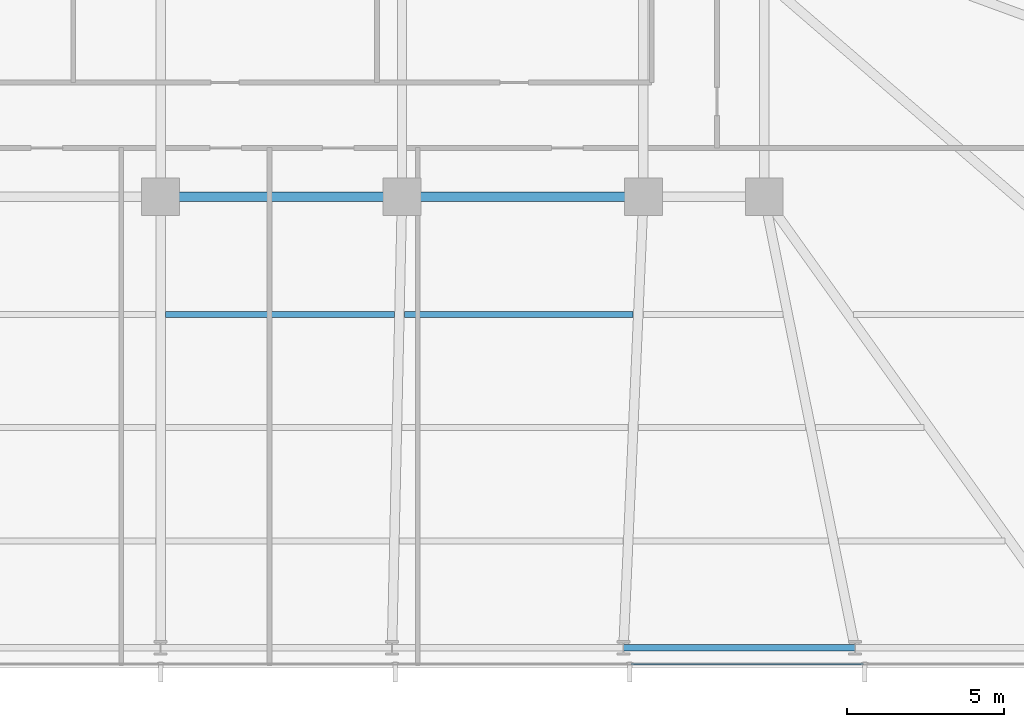
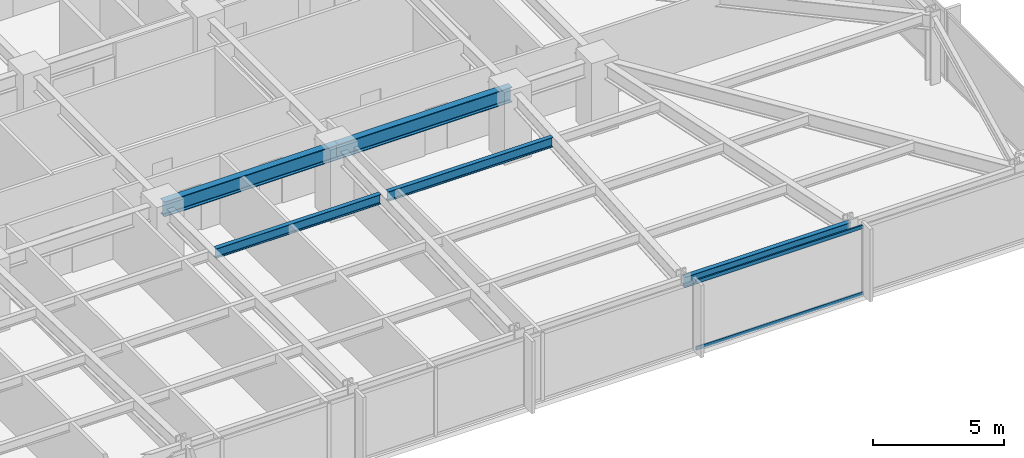
# One storey, part 13 of 33: 5 beams, 2 members, 1 element without a shape of its own.
"""IFC4 building model written with IfcOpenShell, lengths in metres."""

import ifcopenshell
import ifcopenshell.guid

model = None  # the IFC model being written
_history = None  # IfcOwnerHistory: only IFC2X3 demands one
_inside = {}  # id of a spatial element -> (the spatial element, [elements in it])
_under = {}  # id of a project, library or spatial element -> (it, [spatial elements below it])
_declared = {}  # id of a project -> (the project, [libraries it declares])
_typed = {}  # id of a type object -> (the type object, [elements of that type])
_made_of = {}  # id of a material, layer set ... -> (it, [elements and type objects made of it])


def new_model(schema):
    """Start an empty IFC model of exactly this schema.

    Asked for "IFC4X3", IfcOpenShell would pick the latest addendum, in which some entities
    have other attributes; the version numbers below select the first issue.
    IFC2X3 requires an IfcOwnerHistory on every rooted entity: one is made here for all.
    """
    global model, _history
    if schema == "IFC4X3":
        model = ifcopenshell.file(schema_version=(4, 3, 0, 0))
    else:
        model = ifcopenshell.file(schema=schema)
    _inside.clear()
    _under.clear()
    _declared.clear()
    _typed.clear()
    _made_of.clear()
    _history = None
    if model.schema == "IFC2X3":
        org = make("IfcOrganization", Name="unknown")
        user = make(
            "IfcPersonAndOrganization",
            ThePerson=make("IfcPerson", FamilyName="unknown"),
            TheOrganization=org,
        )
        app = make(
            "IfcApplication",
            ApplicationDeveloper=org,
            Version="unknown",
            ApplicationFullName="unknown",
            ApplicationIdentifier="unknown",
        )
        _history = make(
            "IfcOwnerHistory",
            OwningUser=user,
            OwningApplication=app,
            ChangeAction="ADDED",
            CreationDate=0,
        )
    return model


def make(cls, **values):
    """One entity of the class cls with the attributes given. An attribute that is None is left unset."""
    return model.create_entity(
        cls, **{name: value for name, value in values.items() if value is not None}
    )


def rooted(cls, **values):
    """An entity with a GlobalId (a new one), such as an element, a storey or a relation."""
    return make(cls, GlobalId=ifcopenshell.guid.new(), OwnerHistory=_history, **values)


def si_unit(unit_type, name, prefix=None):
    """IfcSIUnit, for example si_unit("LENGTHUNIT", "METRE", prefix="MILLI")."""
    return make("IfcSIUnit", UnitType=unit_type, Prefix=prefix, Name=name)


def assignment(units):
    """IfcUnitAssignment: the units of a project."""
    return None if units is None else make("IfcUnitAssignment", Units=units)


def point(xyz):
    """IfcCartesianPoint."""
    return None if xyz is None else make("IfcCartesianPoint", Coordinates=xyz)


def direction(xyz):
    """IfcDirection."""
    return None if xyz is None else make("IfcDirection", DirectionRatios=xyz)


def frame(location, z_axis=None, x_axis=None):
    """IfcAxis2Placement3D, a coordinate frame: its origin and axes. An axis left out is left unset."""
    return make(
        "IfcAxis2Placement3D",
        Location=point(location),
        Axis=direction(z_axis),
        RefDirection=direction(x_axis),
    )


def frame_2d(location, x_axis=None):
    """IfcAxis2Placement2D, a coordinate frame in the plane: its origin and x axis."""
    return make(
        "IfcAxis2Placement2D", Location=point(location), RefDirection=direction(x_axis)
    )


def origin():
    """The frame at (0, 0, 0) with its axes left unset."""
    return frame((0.0, 0.0, 0.0))


def origin_2d():
    """The frame at (0, 0) in the plane with its x axis left unset."""
    return frame_2d((0.0, 0.0))


def place(relative_to, where):
    """IfcLocalPlacement: puts the frame where relative to a parent placement (None: the world)."""
    return make(
        "IfcLocalPlacement", PlacementRelTo=relative_to, RelativePlacement=where
    )


def context(
    kind, dimensions, precision=None, world=None, true_north=None, identifier=None
):
    """IfcGeometricRepresentationContext, for example the 3D "Model" context."""
    return make(
        "IfcGeometricRepresentationContext",
        ContextIdentifier=identifier,
        ContextType=kind,
        CoordinateSpaceDimension=dimensions,
        Precision=precision,
        WorldCoordinateSystem=world,
        TrueNorth=true_north,
    )


def subcontext(parent, identifier, kind, view, scale=None):
    """IfcGeometricRepresentationSubContext, for example "Body" below "Model"."""
    return make(
        "IfcGeometricRepresentationSubContext",
        ContextIdentifier=identifier,
        ContextType=kind,
        ParentContext=parent,
        TargetScale=scale,
        TargetView=view,
    )


def project(units=None, contexts=None):
    """IfcProject with its units and contexts."""
    return rooted(
        "IfcProject",
        Name="project",
        RepresentationContexts=contexts,
        UnitsInContext=assignment(units),
    )


def spatial(cls, under=None, at=None, **own):
    """A site, building, storey or space (cls), placed at a placement, below another one or the project."""
    s = rooted(cls, ObjectPlacement=at, **own)
    if under is not None:
        _under.setdefault(under.id(), (under, []))[1].append(s)
    return s


def profile(cls, at=None, kind="AREA", **sizes):
    """A parametric profile (cls). Its sizes go by their IFC names, for example OverallWidth=200.0."""
    return make(cls, ProfileType=kind, Position=at, **sizes)


def hollow_rectangle(**sizes):
    """IfcRectangleHollowProfileDef."""
    return profile("IfcRectangleHollowProfileDef", **sizes)


def i_section(**sizes):
    """IfcIShapeProfileDef."""
    return profile("IfcIShapeProfileDef", **sizes)


def extrude(swept, where, along, depth):
    """IfcExtrudedAreaSolid: the profile swept, set in the frame where, extruded along a direction by depth."""
    return make(
        "IfcExtrudedAreaSolid",
        SweptArea=swept,
        Position=where,
        ExtrudedDirection=direction(along),
        Depth=depth,
    )


def shape(context_of_items, identifier, shape_type, items):
    """IfcShapeRepresentation: the items that make up one representation, for example the "Body"."""
    return make(
        "IfcShapeRepresentation",
        ContextOfItems=context_of_items,
        RepresentationIdentifier=identifier,
        RepresentationType=shape_type,
        Items=items,
    )


def material(Name=None, Category=None):
    """IfcMaterial."""
    return make("IfcMaterial", Name=Name, Category=Category)


def material_profile(
    of_material, cross_section, Name=None, Category=None, Priority=None
):
    """IfcMaterialProfile: a cross section and its material."""
    return make(
        "IfcMaterialProfile",
        Name=Name,
        Material=of_material,
        Profile=cross_section,
        Priority=Priority,
        Category=Category,
    )


def profile_set(profiles, Name=None, composite=None):
    """IfcMaterialProfileSet."""
    return make(
        "IfcMaterialProfileSet",
        Name=Name,
        MaterialProfiles=profiles,
        CompositeProfile=composite,
    )


def made_of(thing, what):
    """Note that an element or type object is made of a material, layer set ...; save() writes the relation."""
    if what is not None:
        _made_of.setdefault(what.id(), (what, []))[1].append(thing)
    return thing


def type_object(cls, material=None, **own):
    """A type object (cls), such as IfcWallType, which elements share."""
    return made_of(rooted(cls, **own), material)


def element(
    cls,
    number,
    at=None,
    inside=None,
    cuts=None,
    type_object=None,
    material=None,
    context=None,
    identifier="Body",
    shape_type=None,
    held_by="IfcProductDefinitionShape",
    body=None,
    shapes=None,
    **own,
):
    """One element of the class cls, such as IfcWall. Its Tag is "e" and its number.

    at: its placement. inside: the storey or other place that contains it. cuts: it is an
    opening in that element (IfcRelVoidsElement). A single representation is given by context,
    identifier, shape_type and body (its items); several are given by shapes. held_by: the class
    of the entity that holds the representations. save() writes the other relations.
    """
    e = rooted(cls, Tag="e%d" % number, ObjectPlacement=at, **own)
    if body is not None:
        shapes = [shape(context, identifier, shape_type, body)]
    if shapes is not None:
        e.Representation = make(held_by, Representations=shapes)
    if inside is not None:
        _inside.setdefault(inside.id(), (inside, []))[1].append(e)
    if cuts is not None:
        rooted(
            "IfcRelVoidsElement", RelatingBuildingElement=cuts, RelatedOpeningElement=e
        )
    if type_object is not None:
        _typed.setdefault(type_object.id(), (type_object, []))[1].append(e)
    return made_of(e, material)


def aggregate(whole, parts):
    """IfcRelAggregates: a whole, such as a stair, and the parts it consists of."""
    return rooted("IfcRelAggregates", RelatingObject=whole, RelatedObjects=parts)


def save(model, path):
    """Write the relations noted so far, then the file.

    IfcRelAggregates (storeys below a building ...), IfcRelContainedInSpatialStructure (elements
    in a storey), IfcRelDefinesByType, IfcRelAssociatesMaterial and IfcRelDeclares: one each for
    every whole, place, type object, material and project.
    """
    for whole, parts in _under.values():
        aggregate(whole, parts)
    for where, things in _inside.values():
        rooted(
            "IfcRelContainedInSpatialStructure",
            RelatedElements=things,
            RelatingStructure=where,
        )
    for kind, things in _typed.values():
        rooted("IfcRelDefinesByType", RelatedObjects=things, RelatingType=kind)
    for what, things in _made_of.values():
        rooted("IfcRelAssociatesMaterial", RelatedObjects=things, RelatingMaterial=what)
    for by, libraries in _declared.values():
        rooted("IfcRelDeclares", RelatingContext=by, RelatedDefinitions=libraries)
    model.write(path)


model = new_model("IFC4")

# Units and contexts
model_context = context("Model", 3, precision=1e-05, world=origin(), true_north=direction((0.0, 1.0)))
body_context = subcontext(model_context, "Body", "Model", "MODEL_VIEW")
ifc_project = project(units=[si_unit("LENGTHUNIT", "METRE"), si_unit("AREAUNIT", "SQUARE_METRE"), si_unit("VOLUMEUNIT", "CUBIC_METRE"), si_unit("PLANEANGLEUNIT", "RADIAN"), si_unit("MASSUNIT", "GRAM", prefix="KILO")], contexts=[model_context])

# Site, building, storey
site_placement = place(None, origin())
site = spatial("IfcSite", under=ifc_project, at=site_placement, CompositionType="ELEMENT")
building_placement = place(site_placement, origin())
building = spatial("IfcBuilding", under=site, at=building_placement, Name="Yelkora Congress Tower", CompositionType="ELEMENT")
storey_placement = place(building_placement, frame((0.0, 0.0, 54.199951171875)))
storey = spatial("IfcBuildingStorey", under=building, at=storey_placement, Name="L13", CompositionType="ELEMENT", Elevation=54.199951171875)

# Beams
ifc_material_1 = material(Name="Steel S355J2", Category="steel")
ifc_material_profile_1 = material_profile(ifc_material_1, i_section(OverallWidth=0.300048828125, OverallDepth=0.699951171875, WebThickness=0.01708984375, FlangeThickness=0.031982421875, FilletRadius=0.027099609375, at=origin_2d()), Name="HEB 700")
ifc_profile_set_1 = profile_set([ifc_material_profile_1], Name="Steel S355J2")
beam_type_1 = type_object("IfcBeamType", Name="BM-GIRD-HEB700", PredefinedType="BEAM", material=ifc_profile_set_1)
beam_1_placement = place(storey_placement, frame((38.39990234375, 25.199951171875, 2.830078125), z_axis=(1.0, 0.0, 0.0), x_axis=(0.0, 1.0, 0.0)))
element("IfcBeam", 1, at=beam_1_placement, inside=storey, type_object=beam_type_1, Name="L13 Spine Grid D Girder 4", PredefinedType="BEAM", context=body_context, shape_type="SweptSolid", body=[
    extrude(i_section(OverallWidth=0.300048828125, OverallDepth=0.699951171875, WebThickness=0.01708984375, FlangeThickness=0.031982421875, FilletRadius=0.027099609375, at=origin_2d()), origin(), (0.0, 0.0, 1.0), 7.68017578125),
])
beam_2_placement = place(storey_placement, frame((46.080078125, 25.199951171875, 2.830078125), z_axis=(1.0, 0.0, 0.0), x_axis=(0.0, 1.0, 0.0)))
element("IfcBeam", 2, at=beam_2_placement, inside=storey, type_object=beam_type_1, Name="L13 Spine Grid D Girder 5", PredefinedType="BEAM", context=body_context, shape_type="SweptSolid", body=[
    extrude(i_section(OverallWidth=0.300048828125, OverallDepth=0.699951171875, WebThickness=0.01708984375, FlangeThickness=0.031982421875, FilletRadius=0.027099609375, at=origin_2d()), origin(), (0.0, 0.0, 1.0), 7.679931640625),
])
ifc_material_profile_2 = material_profile(ifc_material_1, i_section(OverallWidth=0.18994140625, OverallDepth=0.449951171875, WebThickness=0.009521484375, FlangeThickness=0.0146484375, FilletRadius=0.02099609375, at=origin_2d()), Name="IPE 450")
ifc_profile_set_2 = profile_set([ifc_material_profile_2], Name="Steel S355J2")
beam_type_2 = type_object("IfcBeamType", Name="BM-JOIST-IPE450", PredefinedType="JOIST", material=ifc_profile_set_2)
beam_3_placement = place(storey_placement, frame((38.56005859375, 21.449951171875, 2.955078125), z_axis=(1.0, 0.0, 0.0), x_axis=(0.0, 1.0, 0.0)))
element("IfcBeam", 3, at=beam_3_placement, inside=storey, type_object=beam_type_2, Name="L13 Composite Floor Joist 20", PredefinedType="JOIST", context=body_context, shape_type="SweptSolid", body=[
    extrude(i_section(OverallWidth=0.18994140625, OverallDepth=0.449951171875, WebThickness=0.009521484375, FlangeThickness=0.0146484375, FilletRadius=0.02099609375, at=origin_2d()), origin(), (0.0, 0.0, 1.0), 7.27685546875),
])
beam_4_placement = place(storey_placement, frame((46.156982421875, 21.449951171875, 2.955078125), z_axis=(1.0, 0.0, 0.0), x_axis=(0.0, 1.0, 0.0)))
element("IfcBeam", 4, at=beam_4_placement, inside=storey, type_object=beam_type_2, Name="L13 Composite Floor Joist 21", PredefinedType="JOIST", context=body_context, shape_type="SweptSolid", body=[
    extrude(i_section(OverallWidth=0.18994140625, OverallDepth=0.449951171875, WebThickness=0.009521484375, FlangeThickness=0.0146484375, FilletRadius=0.02099609375, at=origin_2d()), origin(), (0.0, 0.0, 1.0), 7.277099609375),
])
ifc_material_profile_3 = material_profile(ifc_material_1, i_section(OverallWidth=0.199951171875, OverallDepth=0.5, WebThickness=0.01025390625, FlangeThickness=0.01611328125, FilletRadius=0.02099609375, at=origin_2d()), Name="IPE 500")
ifc_profile_set_3 = profile_set([ifc_material_profile_3], Name="Steel S355J2")
beam_type_3 = type_object("IfcBeamType", Name="BM-SPAN-IPE500", PredefinedType="SPANDREL", material=ifc_profile_set_3)
beam_5_placement = place(storey_placement, frame((53.125, 10.85009765625, 2.929931640625), z_axis=(1.0, 0.0, 0.0), x_axis=(0.0, 1.0, 0.0)))
element("IfcBeam", 5, at=beam_5_placement, inside=storey, type_object=beam_type_3, Name="L13 Perimeter Beam 8", PredefinedType="SPANDREL", context=body_context, shape_type="SweptSolid", body=[
    extrude(i_section(OverallWidth=0.199951171875, OverallDepth=0.5, WebThickness=0.01025390625, FlangeThickness=0.01611328125, FilletRadius=0.02099609375, at=origin_2d()), origin(), (0.0, 0.0, 1.0), 7.362548828125),
])

# Curtain wall, members
ifc_material_2 = material(Name="Anodised aluminium and insulated glass", Category="aluminium")
curtain_wall_type = type_object("IfcCurtainWallType", Name="CW-SYS-B1", PredefinedType="NOTDEFINED", material=ifc_material_2)
curtain_wall_placement = place(storey_placement, origin())
curtain_wall = element("IfcCurtainWall", 6, at=curtain_wall_placement, inside=storey, type_object=curtain_wall_type, Name="L13 Unitised Curtain Wall 20", PredefinedType="NOTDEFINED")
ifc_material_3 = material(Name="Anodised aluminium 6063-T6", Category="aluminium")
ifc_material_profile_4 = material_profile(ifc_material_3, hollow_rectangle(XDim=0.06494140625, YDim=0.159912109375, WallThickness=0.00390625, at=origin_2d()), Name="ALU 65x160x4")
ifc_profile_set_4 = profile_set([ifc_material_profile_4], Name="Anodised aluminium 6063-T6")
member_type = type_object("IfcMemberType", Name="MEM-TR-B1", PredefinedType="USERDEFINED", material=ifc_profile_set_4)
member_1_placement = place(storey_placement, frame((60.757568359375, 10.340087890625, 0.032470703125), z_axis=(-1.0, 0.0, 0.0), x_axis=(0.0, -1.0, 0.0)))
member_1 = element("IfcMember", 7, at=member_1_placement, type_object=member_type, Name="CW-B1 transom 2.1", ObjectType="TRANSOM", PredefinedType="USERDEFINED", context=body_context, shape_type="SweptSolid", body=[
    extrude(hollow_rectangle(XDim=0.06494140625, YDim=0.159912109375, WallThickness=0.00390625, at=origin_2d()), origin(), (0.0, 0.0, 1.0), 7.39013671875),
])
member_2_placement = place(storey_placement, frame((60.757568359375, 10.340087890625, 3.1474609375), z_axis=(-1.0, 0.0, 0.0), x_axis=(0.0, -1.0, 0.0)))
member_2 = element("IfcMember", 8, at=member_2_placement, type_object=member_type, Name="CW-B1 transom 2.2", ObjectType="TRANSOM", PredefinedType="USERDEFINED", context=body_context, shape_type="SweptSolid", body=[
    extrude(hollow_rectangle(XDim=0.06494140625, YDim=0.159912109375, WallThickness=0.00390625, at=origin_2d()), origin(), (0.0, 0.0, 1.0), 7.39013671875),
])
aggregate(curtain_wall, [member_1, member_2])

save(model, "model.ifc")
